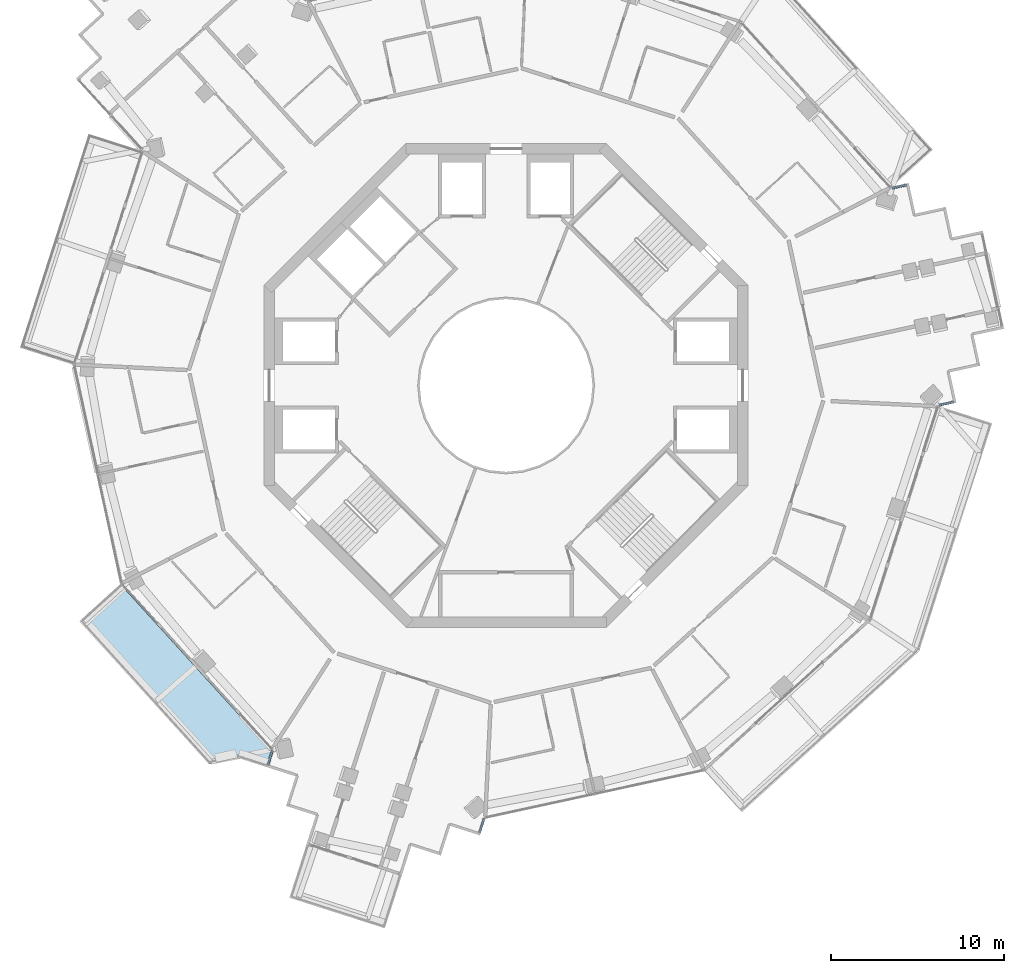
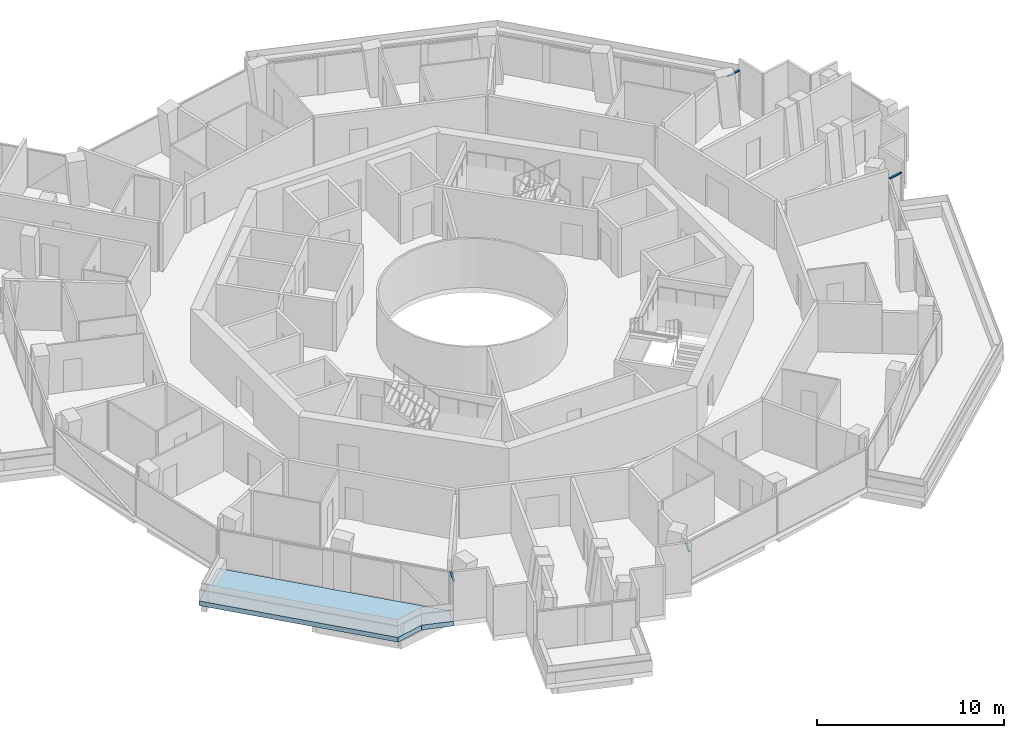
# One storey, part 10 of 23: 4 members, 1 slab, 4 elements without a shape of their own.
"""IFC4 building model written with IfcOpenShell, lengths in metres."""

from ifc_helpers import new_model, si_unit, direction, frame, origin, origin_2d, place, context, subcontext, project, spatial, polyline, rectangle, outline, extrude, material, layer, layer_set, material_profile, profile_set, type_object, element, aggregate, save


model = new_model("IFC4")

# Units and contexts
model_context = context("Model", 3, precision=1e-05, world=origin(), true_north=direction((0.0, 1.0)))
body_context = subcontext(model_context, "Body", "Model", "MODEL_VIEW")
ifc_project = project(units=[si_unit("LENGTHUNIT", "METRE"), si_unit("AREAUNIT", "SQUARE_METRE"), si_unit("VOLUMEUNIT", "CUBIC_METRE"), si_unit("PLANEANGLEUNIT", "RADIAN"), si_unit("MASSUNIT", "GRAM", prefix="KILO")], contexts=[model_context])

# Site, building, storey
site_placement = place(None, origin())
site = spatial("IfcSite", under=ifc_project, at=site_placement, CompositionType="ELEMENT")
building_placement = place(site_placement, origin())
building = spatial("IfcBuilding", under=site, at=building_placement, Name="Verdalira Terraces Hotel", CompositionType="ELEMENT")
storey_placement = place(building_placement, frame((0.0, 0.0, 205.5)))
storey = spatial("IfcBuildingStorey", under=building, at=storey_placement, Name="L50", CompositionType="ELEMENT", Elevation=205.5)

# Curtain wall, member
ifc_material_1 = material(Name="Clear glass", Category="glass")
ifc_layer_1 = layer(ifc_material_1, 0.14990234375)
ifc_layer_set_1 = layer_set([ifc_layer_1], Name="CW2 curtain wall")
curtain_wall_type = type_object("IfcCurtainWallType", Name="CW2 curtain wall", PredefinedType="NOTDEFINED", material=ifc_layer_set_1)
curtain_wall_1_placement = place(storey_placement, origin())
curtain_wall_1 = element("IfcCurtainWall", 1, at=curtain_wall_1_placement, inside=storey, type_object=curtain_wall_type, Name="CW2 curtain wall L50 edge 14", PredefinedType="NOTDEFINED")
ifc_material_2 = material(Name="Terracotta frame", Category="masonry")
ifc_material_profile = material_profile(ifc_material_2, rectangle(XDim=0.11499, YDim=0.064941, at=origin_2d()), Name="TR 65x115")
ifc_profile_set = profile_set([ifc_material_profile], Name="Terracotta frame")
member_type = type_object("IfcMemberType", Name="CW2 transom 65x115", PredefinedType="USERDEFINED", material=ifc_profile_set)
member_1_placement = place(storey_placement, frame((-13.518311, -21.142334, 2.507568), z_axis=(-0.305004977, -0.952350757, 0.0), x_axis=(0.952350757, -0.305004977, 0.0)))
member_1 = element("IfcMember", 2, at=member_1_placement, type_object=member_type, Name="CW2 transom", ObjectType="TRANSOM", PredefinedType="USERDEFINED", context=body_context, shape_type="SweptSolid", body=[
    extrude(rectangle(XDim=0.11499, YDim=0.064941, at=origin_2d()), origin(), (0.0, 0.0, 1.0), 0.850098),
])
aggregate(curtain_wall_1, [member_1])

curtain_wall_2_placement = place(storey_placement, origin())
curtain_wall_2 = element("IfcCurtainWall", 3, at=curtain_wall_2_placement, inside=storey, type_object=curtain_wall_type, Name="CW2 curtain wall L50 edge 24", PredefinedType="NOTDEFINED")
member_2_placement = place(storey_placement, frame((-1.540039, -25.871582, 2.507568), z_axis=(0.305004977, 0.952350757, 0.0), x_axis=(-0.952350757, 0.305004977, 0.0)))
member_2 = element("IfcMember", 4, at=member_2_placement, type_object=member_type, Name="CW2 transom", ObjectType="TRANSOM", PredefinedType="USERDEFINED", context=body_context, shape_type="SweptSolid", body=[
    extrude(rectangle(XDim=0.11499, YDim=0.064941, at=origin_2d()), origin(), (0.0, 0.0, 1.0), 0.850098),
])
aggregate(curtain_wall_2, [member_2])

curtain_wall_3_placement = place(storey_placement, origin())
curtain_wall_3 = element("IfcCurtainWall", 5, at=curtain_wall_3_placement, inside=storey, type_object=curtain_wall_type, Name="CW2 curtain wall L50 edge 28", PredefinedType="NOTDEFINED")
member_3_placement = place(storey_placement, frame((25.069092, -1.135986, 2.507568), z_axis=(0.977269604, 0.212000285, 0.0), x_axis=(-0.212000285, 0.977269604, 0.0)))
member_3 = element("IfcMember", 6, at=member_3_placement, type_object=member_type, Name="CW2 transom", ObjectType="TRANSOM", PredefinedType="USERDEFINED", context=body_context, shape_type="SweptSolid", body=[
    extrude(rectangle(XDim=0.11499, YDim=0.064941, at=origin_2d()), origin(), (0.0, 0.0, 1.0), 0.849854),
])
aggregate(curtain_wall_3, [member_3])

curtain_wall_4_placement = place(storey_placement, origin())
curtain_wall_4 = element("IfcCurtainWall", 7, at=curtain_wall_4_placement, inside=storey, type_object=curtain_wall_type, Name="CW2 curtain wall L50 edge 38", PredefinedType="NOTDEFINED")
member_4_placement = place(storey_placement, frame((23.175537, 11.602051, 2.507568), z_axis=(-0.97728251, -0.211940785, 0.0), x_axis=(0.211940785, -0.97728251, 0.0)))
member_4 = element("IfcMember", 8, at=member_4_placement, type_object=member_type, Name="CW2 transom", ObjectType="TRANSOM", PredefinedType="USERDEFINED", context=body_context, shape_type="SweptSolid", body=[
    extrude(rectangle(XDim=0.11499, YDim=0.064941, at=origin_2d()), origin(), (0.0, 0.0, 1.0), 0.850098),
])
aggregate(curtain_wall_4, [member_4])

# Slab
ifc_material_3 = material(Name="Precast concrete C40/50", Category="concrete")
ifc_layer_2 = layer(ifc_material_3, 0.31005859375)
ifc_layer_set_2 = layer_set([ifc_layer_2], Name="Balcony deck 310")
slab_type = type_object("IfcSlabType", Name="Balcony deck 310", PredefinedType="FLOOR", material=ifc_layer_set_2)
slab_placement = place(storey_placement, frame((0.0, 0.0, -0.310059)))
element("IfcSlab", 9, at=slab_placement, inside=storey, type_object=slab_type, Name="Balcony deck", PredefinedType="FLOOR", context=body_context, shape_type="SweptSolid", body=[
    extrude(outline(polyline([(-24.697998, -13.64624), (-17.200684, -21.902832), (-15.544189, -21.543457), (-13.894775, -22.071777), (-13.589844, -21.119629), (-22.328857, -11.495117), (-24.697998, -13.64624)])), origin(), (0.0, 0.0, 1.0), 0.310059),
])

save(model, "model.ifc")
